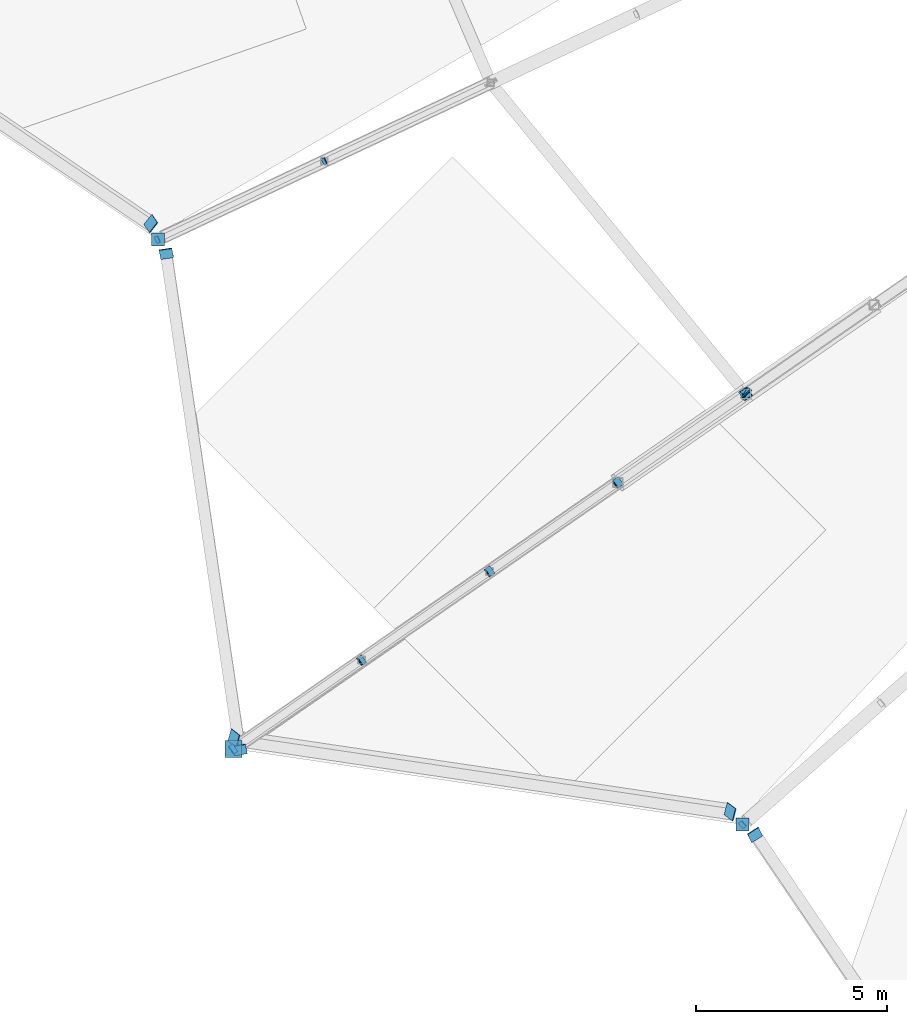
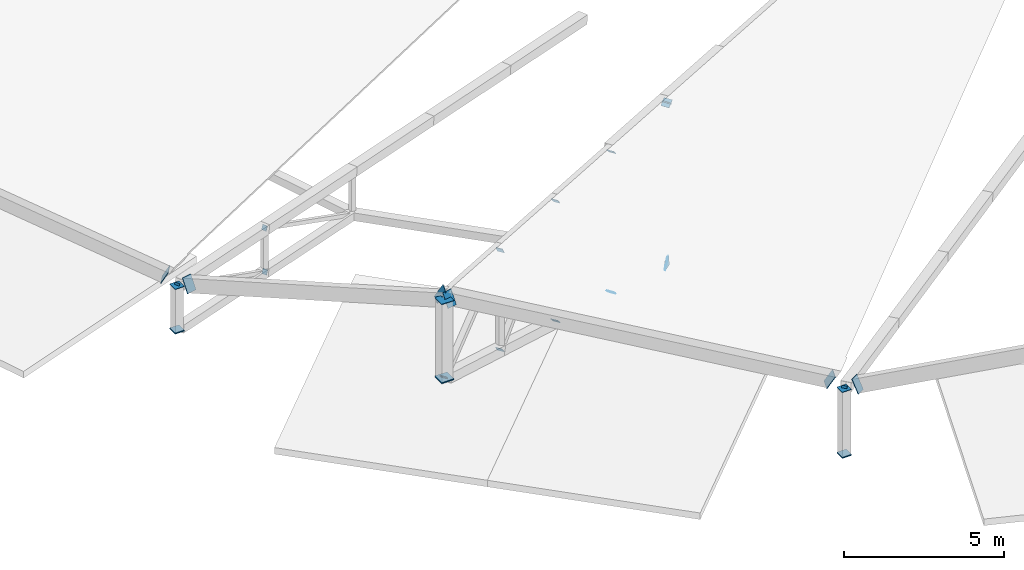
# One storey, part 120 of 188: 30 discrete accessories.
"""IFC4 building model written with IfcOpenShell, lengths in metres."""

from ifc_helpers import new_model, si_unit, direction, frame, origin, origin_2d, place, context, subcontext, project, spatial, rectangle, extrude, material, material_profile, profile_set, type_object, element, save


model = new_model("IFC4")

# Units and contexts
model_context = context("Model", 3, precision=1e-05, world=origin(), true_north=direction((0.0, 1.0)))
body_context = subcontext(model_context, "Body", "Model", "MODEL_VIEW")
ifc_project = project(units=[si_unit("LENGTHUNIT", "METRE"), si_unit("AREAUNIT", "SQUARE_METRE"), si_unit("VOLUMEUNIT", "CUBIC_METRE"), si_unit("PLANEANGLEUNIT", "RADIAN"), si_unit("MASSUNIT", "GRAM", prefix="KILO")], contexts=[model_context])

# Site, building, storey
site_placement = place(None, origin())
site = spatial("IfcSite", under=ifc_project, at=site_placement, CompositionType="ELEMENT")
building_placement = place(site_placement, origin())
building = spatial("IfcBuilding", under=site, at=building_placement, Name="Meseta Stadium", CompositionType="ELEMENT")
storey_placement = place(building_placement, frame((0.0, 0.0, 30.0)))
storey = spatial("IfcBuildingStorey", under=building, at=storey_placement, Name="ROOF", CompositionType="ELEMENT", Elevation=30.0)

# Discrete accessories
ifc_material_1 = material(Name="Steel S355", Category="steel")
ifc_material_profile_1 = material_profile(ifc_material_1, rectangle(XDim=0.179931640625, YDim=0.179931640625, at=origin_2d()), Name="PL 180x180")
ifc_profile_set_1 = profile_set([ifc_material_profile_1], Name="Steel S355")
discrete_accessory_type_1 = type_object("IfcDiscreteAccessoryType", Name="End plate 180x180x20", PredefinedType="ANCHORPLATE", material=ifc_profile_set_1)
for number, where, z_axis, x_axis, name in (
    (1, (-82.798095703125, -73.806396484375, 3.0205078125), (-0.820435500181, -0.391849791131, 0.416340403077), (0.430978873925, -0.90236201728, 0.0), "End plate of ROOF TRUSS RT-39 diagonal"),
    (2, (-82.78173828125, -73.798583984375, 1.33251953125), (-0.820435500181, -0.391849791131, 0.416340403077), (0.430978873925, -0.90236201728, 0.0), "End plate of ROOF TRUSS RT-39 diagonal"),
    (3, (-87.15087890625, -75.856689453125, 3.575927734375), (-0.816223885151, -0.389838273505, 0.426385611646), (0.430978873925, -0.90236201728, 0.0), "End plate of ROOF TRUSS RT-39 diagonal"),
    (4, (-71.856689453125, -91.15087890625, 3.559814453125), (-0.632736394544, -0.547560341432, 0.547560341432), (0.654376744439, -0.756168682463, 0.0), "End plate of ROOF TRUSS RT-41 diagonal"),
):
    element("IfcDiscreteAccessory", number, at=place(storey_placement, frame(where, z_axis=z_axis, x_axis=x_axis)), inside=storey, type_object=discrete_accessory_type_1, Name=name, PredefinedType="ANCHORPLATE", context=body_context, shape_type="SweptSolid", body=[
        extrude(rectangle(XDim=0.179931640625, YDim=0.179931640625, at=origin_2d()), origin(), (0.0, 0.0, 1.0), 0.02001953125),
    ])
ifc_material_2 = material(Name="Steel S355", Category="steel")
ifc_material_profile_2 = material_profile(ifc_material_2, rectangle(XDim=0.239990234375, YDim=0.239990234375, at=origin_2d()), Name="PL 240x240")
ifc_profile_set_2 = profile_set([ifc_material_profile_2], Name="Steel S355")
discrete_accessory_type_2 = type_object("IfcDiscreteAccessoryType", Name="End plate 240x240x20", PredefinedType="ANCHORPLATE", material=ifc_profile_set_2)
discrete_accessory_1_placement = place(storey_placement, frame((-71.764404296875, -79.88134765625, 7.63671875), z_axis=(-0.544505363404, -0.37510369479, -0.750207389579), x_axis=(0.567305236251, -0.82350760101, 0.0)))
element("IfcDiscreteAccessory", 5, at=discrete_accessory_1_placement, inside=storey, type_object=discrete_accessory_type_2, Name="End plate of ROOF TRUSS RT-40 diagonal", PredefinedType="ANCHORPLATE", context=body_context, shape_type="SweptSolid", body=[
    extrude(rectangle(XDim=0.239990234375, YDim=0.239990234375, at=origin_2d()), origin(), (0.0, 0.0, 1.0), 0.020263671875),
])
for number, where, z_axis, x_axis, name in (
    (6, (-75.125, -82.210205078125, 2.98193359375), (-0.538349662656, -0.367056588174, -0.75858361556), (0.563336824642, -0.826227342808, 0.0), "End plate of ROOF TRUSS RT-40 diagonal"),
    (7, (-75.113037109375, -82.201904296875, 8.337890625), (-0.598943239908, -0.415593268508, -0.684506559895), (0.570081548206, -0.821588113591, 0.0), "End plate of ROOF TRUSS RT-40 diagonal"),
    (8, (-78.474609375, -84.53125, 4.465087890625), (-0.598943239908, -0.415593268508, -0.684506559895), (0.570081548206, -0.821588113591, 0.0), "End plate of ROOF TRUSS RT-40 diagonal"),
    (9, (-78.46142578125, -84.522216796875, 9.03857421875), (-0.66040533606, -0.452499952486, -0.599256693833), (0.565231440294, -0.824932372321, 0.0), "End plate of ROOF TRUSS RT-40 diagonal"),
):
    element("IfcDiscreteAccessory", number, at=place(storey_placement, frame(where, z_axis=z_axis, x_axis=x_axis)), inside=storey, type_object=discrete_accessory_type_2, Name=name, PredefinedType="ANCHORPLATE", context=body_context, shape_type="SweptSolid", body=[
        extrude(rectangle(XDim=0.239990234375, YDim=0.239990234375, at=origin_2d()), origin(), (0.0, 0.0, 1.0), 0.02001953125),
    ])
discrete_accessory_2_placement = place(storey_placement, frame((-81.82421875, -86.8525390625, 5.9482421875), z_axis=(-0.653425270619, -0.456164811564, -0.604110155855), x_axis=(0.572423567845, -0.81995808367, 0.0)))
element("IfcDiscreteAccessory", 10, at=discrete_accessory_2_placement, inside=storey, type_object=discrete_accessory_type_2, Name="End plate of ROOF TRUSS RT-40 diagonal", PredefinedType="ANCHORPLATE", context=body_context, shape_type="SweptSolid", body=[
    extrude(rectangle(XDim=0.239990234375, YDim=0.239990234375, at=origin_2d()), origin(), (0.0, 0.0, 1.0), 0.019775390625),
])
discrete_accessory_3_placement = place(storey_placement, frame((-81.809814453125, -86.842529296875, 9.73876953125), z_axis=(-0.717487647354, -0.498593110873, -0.486432303291), x_axis=(0.570656615896, -0.821188788729, 0.0)))
element("IfcDiscreteAccessory", 11, at=discrete_accessory_3_placement, inside=storey, type_object=discrete_accessory_type_2, Name="End plate of ROOF TRUSS RT-40 diagonal", PredefinedType="ANCHORPLATE", context=body_context, shape_type="SweptSolid", body=[
    extrude(rectangle(XDim=0.239990234375, YDim=0.239990234375, at=origin_2d()), origin(), (0.0, 0.0, 1.0), 0.02001953125),
])
discrete_accessory_4_placement = place(storey_placement, frame((-85.173828125, -89.173828125, 7.431396484375), z_axis=(-0.715885732986, -0.493714298611, -0.493714298611), x_axis=(0.567732955804, -0.823212785915, 0.0)))
element("IfcDiscreteAccessory", 12, at=discrete_accessory_4_placement, inside=storey, type_object=discrete_accessory_type_2, Name="End plate of ROOF TRUSS RT-40 diagonal", PredefinedType="ANCHORPLATE", context=body_context, shape_type="SweptSolid", body=[
    extrude(rectangle(XDim=0.239990234375, YDim=0.239990234375, at=origin_2d()), origin(), (0.0, 0.0, 1.0), 0.019775390625),
])
ifc_material_3 = material(Name="Steel S355", Category="steel")
ifc_material_profile_3 = material_profile(ifc_material_3, rectangle(XDim=0.2900390625, YDim=0.2900390625, at=origin_2d()), Name="PL 290x290")
ifc_profile_set_3 = profile_set([ifc_material_profile_3], Name="Steel S355")
discrete_accessory_type_3 = type_object("IfcDiscreteAccessoryType", Name="End plate 290x290x20", PredefinedType="ANCHORPLATE", material=ifc_profile_set_3)
discrete_accessory_5_placement = place(storey_placement, frame((-71.775390625, -79.888916015625, 7.62158203125), z_axis=(-0.450182954831, -0.304177672183, 0.839530375225), x_axis=(0.559857411278, -0.828588968691, 0.0)))
element("IfcDiscreteAccessory", 13, at=discrete_accessory_5_placement, inside=storey, type_object=discrete_accessory_type_3, Name="End plate of ROOF TRUSS RT-40 diagonal", PredefinedType="ANCHORPLATE", context=body_context, shape_type="SweptSolid", body=[
    extrude(rectangle(XDim=0.2900390625, YDim=0.2900390625, at=origin_2d()), origin(), (0.0, 0.0, 1.0), 0.02001953125),
])
ifc_material_4 = material(Name="Steel S355", Category="steel")
ifc_material_profile_4 = material_profile(ifc_material_4, rectangle(XDim=0.340087890625, YDim=0.340087890625, at=origin_2d()), Name="PL 340x340")
ifc_profile_set_4 = profile_set([ifc_material_profile_4], Name="Steel S355")
discrete_accessory_type_4 = type_object("IfcDiscreteAccessoryType", Name="End plate 340x340x20", PredefinedType="ANCHORPLATE", material=ifc_profile_set_4)
for number, where, z_axis, x_axis, name in (
    (14, (-87.15087890625, -75.856689453125, 1.876220703125), (0.0, 0.0, 1.0), (1.0, 0.0, 0.0), "End plate of ROOF TRUSS RT-39 post"),
    (15, (-87.15087890625, -75.856689453125, 3.575927734375), (0.0, 0.0, 1.0), (1.0, 0.0, 0.0), "End plate of ROOF TRUSS RT-39 post"),
    (16, (-71.856689453125, -91.15087890625, 1.046142578125), (0.0, 0.0, 1.0), (1.0, 0.0, 0.0), "End plate of ROOF TRUSS RT-41 post"),
    (17, (-71.856689453125, -91.15087890625, 3.559814453125), (0.0, 0.0, 1.0), (1.0, 0.0, 0.0), "End plate of ROOF TRUSS RT-41 post"),
    (18, (-87.15087890625, -75.856689453125, 1.896240234375), (0.0, 0.0, 1.0), (1.0, 0.0, 0.0), "End plate of ROOF RIM POST RT-39"),
    (19, (-71.856689453125, -91.15087890625, 1.066162109375), (0.0, 0.0, 1.0), (1.0, 0.0, 0.0), "End plate of ROOF RIM POST RT-41"),
    (20, (-71.775390625, -79.888916015625, 1.498779296875), (0.635375949962, -0.769782400916, 0.061093841343), (0.771223025002, 0.63656503651, 0.0), "End plate of ROOF PIVOT STRUT RT-39/40"),
    (21, (-71.79150390625, -79.877685546875, 1.502685546875), (0.804638751005, -0.560808826458, -0.195063939638), (0.571792661688, 0.82039816677, 0.0), "End plate of ROOF PIVOT STRUT RT-40/41"),
):
    element("IfcDiscreteAccessory", number, at=place(storey_placement, frame(where, z_axis=z_axis, x_axis=x_axis)), inside=storey, type_object=discrete_accessory_type_4, Name=name, PredefinedType="ANCHORPLATE", context=body_context, shape_type="SweptSolid", body=[
        extrude(rectangle(XDim=0.340087890625, YDim=0.340087890625, at=origin_2d()), origin(), (0.0, 0.0, 1.0), 0.02001953125),
    ])
ifc_material_5 = material(Name="Steel S355", Category="steel")
ifc_material_profile_5 = material_profile(ifc_material_5, rectangle(XDim=0.340087890625, YDim=0.5400390625, at=origin_2d()), Name="PL 340x540")
ifc_profile_set_5 = profile_set([ifc_material_profile_5], Name="Steel S355")
discrete_accessory_type_5 = type_object("IfcDiscreteAccessoryType", Name="End plate 340x540x20", PredefinedType="ANCHORPLATE", material=ifc_profile_set_5)
for number, where, z_axis, x_axis, name in (
    (22, (-87.33984375, -75.43505859375, 3.82080078125), (0.741316092871, -0.498261636192, -0.449650744856), (0.613959891461, 0.774081448678, 0.154438215766), "End plate of RIM RING BEAM 39"),
    (23, (-86.929931640625, -76.217041015625, 3.78515625), (0.122600216831, -0.882721561183, 0.453620802274), (0.988330030894, 0.150226200662, 0.025215841587), "End plate of RIM RING BEAM 40"),
    (24, (-85.004150390625, -89.189697265625, 10.409423828125), (0.134647899862, -0.881331708191, 0.452906572265), (0.986198757978, 0.163632676285, 0.025226117696), "End plate of RIM RING BEAM 40"),
    (25, (-85.16796875, -88.889892578125, 10.462890625), (0.881331708191, -0.134647899862, -0.452906572265), (0.257255852355, 0.940750942067, 0.220923270455), "End plate of RIM RING BEAM 41"),
    (26, (-72.1953125, -90.81591796875, 3.838623046875), (0.882721561183, -0.122600216831, -0.453620802274), (0.244614049219, 0.944138036255, 0.220833275168), "End plate of RIM RING BEAM 41"),
    (27, (-71.5419921875, -91.414306640625, 3.773193359375), (0.498261636192, -0.741316092871, 0.449650744856), (0.84502502844, 0.531298331832, -0.060454808764), "End plate of RIM RING BEAM 42"),
):
    element("IfcDiscreteAccessory", number, at=place(storey_placement, frame(where, z_axis=z_axis, x_axis=x_axis)), inside=storey, type_object=discrete_accessory_type_5, Name=name, PredefinedType="ANCHORPLATE", context=body_context, shape_type="SweptSolid", body=[
        extrude(rectangle(XDim=0.340087890625, YDim=0.5400390625, at=origin_2d()), origin(), (0.0, 0.0, 1.0), 0.02001953125),
    ])
ifc_material_6 = material(Name="Steel S355", Category="steel")
ifc_material_profile_6 = material_profile(ifc_material_6, rectangle(XDim=0.43994140625, YDim=0.43994140625, at=origin_2d()), Name="PL 440x440")
ifc_profile_set_6 = profile_set([ifc_material_profile_6], Name="Steel S355")
discrete_accessory_type_6 = type_object("IfcDiscreteAccessoryType", Name="End plate 440x440x20", PredefinedType="ANCHORPLATE", material=ifc_profile_set_6)
for number, where, z_axis, x_axis, name in (
    (28, (-85.173828125, -89.173828125, 7.411376953125), (0.0, 0.0, 1.0), (1.0, 0.0, 0.0), "End plate of ROOF TRUSS RT-40 post"),
    (29, (-85.173828125, -89.173828125, 10.431396484375), (0.0, 0.0, 1.0), (1.0, 0.0, 0.0), "End plate of ROOF TRUSS RT-40 post"),
    (30, (-85.173828125, -89.173828125, 7.431396484375), (0.0, 0.0, 1.0), (1.0, 0.0, 0.0), "End plate of ROOF RIM POST RT-40"),
):
    element("IfcDiscreteAccessory", number, at=place(storey_placement, frame(where, z_axis=z_axis, x_axis=x_axis)), inside=storey, type_object=discrete_accessory_type_6, Name=name, PredefinedType="ANCHORPLATE", context=body_context, shape_type="SweptSolid", body=[
        extrude(rectangle(XDim=0.43994140625, YDim=0.43994140625, at=origin_2d()), origin(), (0.0, 0.0, 1.0), 0.02001953125),
    ])

save(model, "model.ifc")
